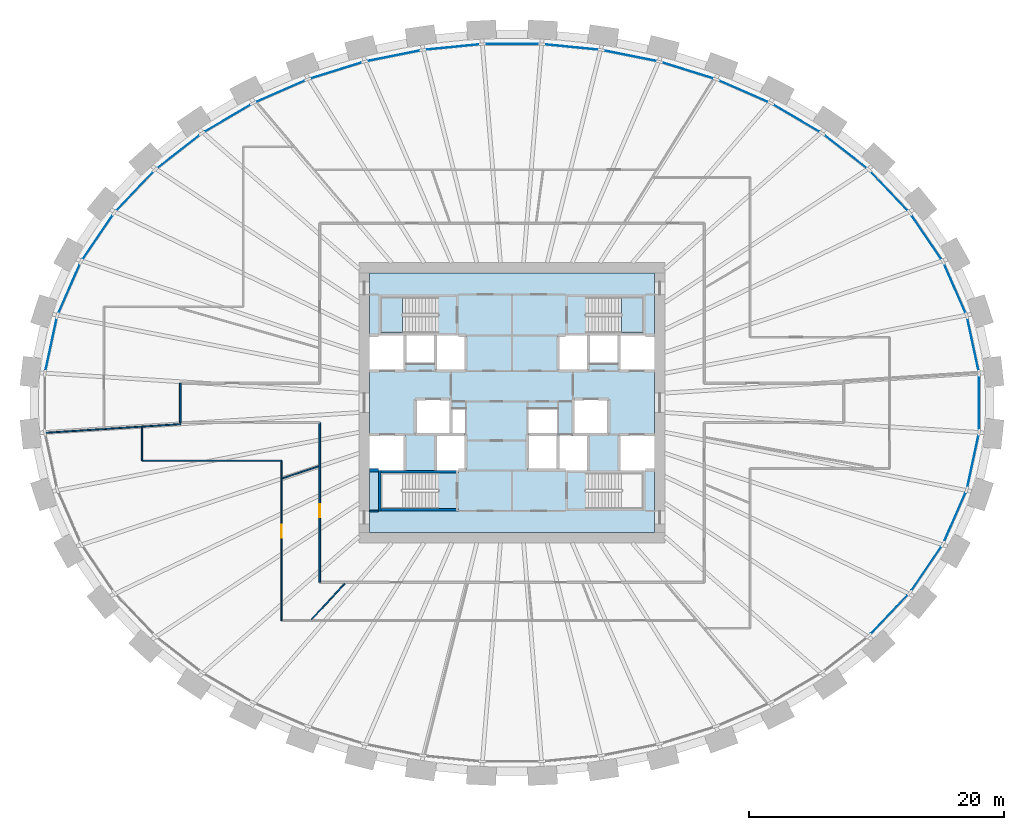
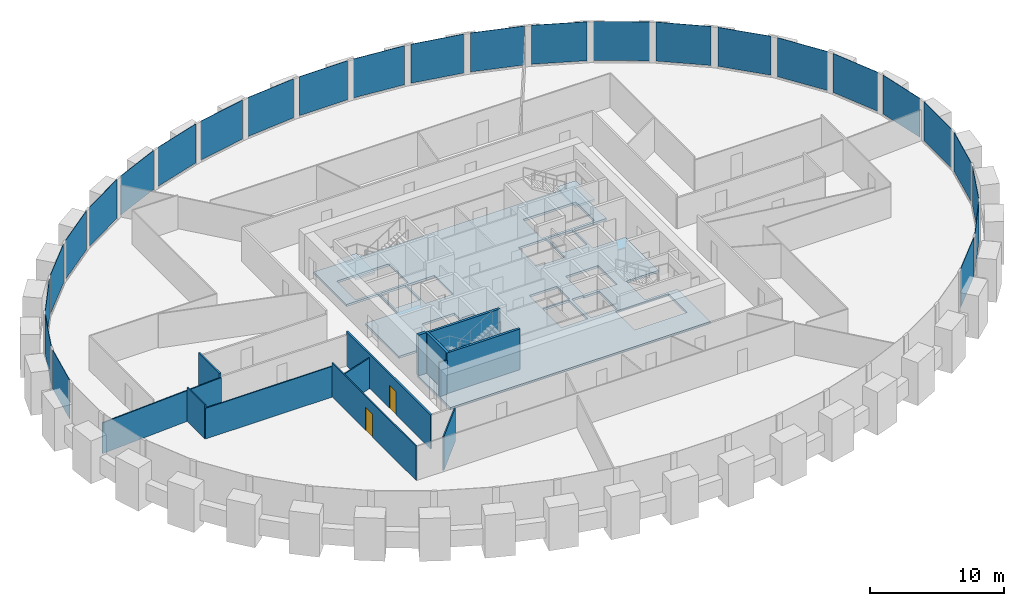
# One storey, part 5 of 10: 26 plates, 13 walls, 3 slabs, 2 doors, 2 openings, 3 elements without a shape of their own.
"""IFC4 building model written with IfcOpenShell, lengths in metres."""

from ifc_helpers import new_model, si_unit, direction, frame, frame_2d, origin, origin_2d, place, context, subcontext, project, spatial, polyline, rectangle, outline, extrude, source, transform, mapped, material, layer, layer_set, type_object, element, fill, aggregate, save


model = new_model("IFC4")

# Units and contexts
model_context = context("Model", 3, precision=1e-05, world=origin(), true_north=direction((0.0, 1.0)))
body_context = subcontext(model_context, "Body", "Model", "MODEL_VIEW")
ifc_project = project(units=[si_unit("LENGTHUNIT", "METRE"), si_unit("AREAUNIT", "SQUARE_METRE"), si_unit("VOLUMEUNIT", "CUBIC_METRE"), si_unit("PLANEANGLEUNIT", "RADIAN"), si_unit("MASSUNIT", "GRAM", prefix="KILO")], contexts=[model_context])

# Site, building, storey
site_placement = place(None, origin())
site = spatial("IfcSite", under=ifc_project, at=site_placement, CompositionType="ELEMENT")
building_placement = place(site_placement, origin())
building = spatial("IfcBuilding", under=site, at=building_placement, Name="Embergate Tower", CompositionType="ELEMENT")
storey_placement = place(building_placement, frame((0.0, 0.0, 156.0)))
storey = spatial("IfcBuildingStorey", under=building, at=storey_placement, Name="L34", CompositionType="ELEMENT", Elevation=156.0)

# Curtain wall, plates
ifc_material_1 = material(Name="Aluminium and glass", Category="aluminium")
curtain_wall_type = type_object("IfcCurtainWallType", Name="Recessed office glazing", PredefinedType="NOTDEFINED", material=ifc_material_1)
curtain_wall_placement = place(storey_placement, origin())
curtain_wall = element("IfcCurtainWall", 1, at=curtain_wall_placement, inside=storey, type_object=curtain_wall_type, Name="Recessed office glazing ring", ObjectType="RECESSED OFFICE GLAZING", PredefinedType="USERDEFINED")
ifc_material_2 = material(Name="Triple glazing, low-emissivity coating", Category="glass")
ifc_layer_1 = layer(ifc_material_2, 0.035888671875)
ifc_layer_set_1 = layer_set([ifc_layer_1], Name="Triple glazing, low-emissivity coating")
plate_type = type_object("IfcPlateType", Name="Office glazing unit", PredefinedType="CURTAIN_PANEL", material=ifc_layer_set_1)
shared_shape_1 = source(origin(), body_context, "Body", "SweptSolid", [
    extrude(rectangle(XDim=4.109130859375, YDim=0.035888671875, at=origin_2d()), origin(), (0.0, 0.0, 1.0), 3.550048828125),
])
plate_1_placement = place(storey_placement, frame((36.196044921875, 4.576171875, 0.14990234375), z_axis=(0.0, 0.0, 1.0), x_axis=(-0.210398391177, 0.97761573074, 0.0)))
plate_1 = element("IfcPlate", 2, at=plate_1_placement, type_object=plate_type, Name="CW panel 1.1", PredefinedType="CURTAIN_PANEL", context=body_context, shape_type="MappedRepresentation", body=[
    mapped(shared_shape_1, transform((0.0, 0.0, 0.0))),
])
plate_2_placement = place(storey_placement, frame((-36.196044921875, 4.576171875, 0.14990234375), z_axis=(0.0, 0.0, 1.0), x_axis=(-0.210398391177, -0.97761573074, 0.0)))
plate_2 = element("IfcPlate", 3, at=plate_2_placement, type_object=plate_type, Name="CW panel 21.1", PredefinedType="CURTAIN_PANEL", context=body_context, shape_type="MappedRepresentation", body=[
    mapped(shared_shape_1, transform((0.0, 0.0, 0.0))),
])
plate_3_placement = place(storey_placement, frame((36.196044921875, -4.576171875, 0.14990234375), z_axis=(0.0, 0.0, 1.0), x_axis=(0.210398391177, 0.97761573074, 0.0)))
plate_3 = element("IfcPlate", 4, at=plate_3_placement, type_object=plate_type, Name="CW panel 43.1", PredefinedType="CURTAIN_PANEL", context=body_context, shape_type="MappedRepresentation", body=[
    mapped(shared_shape_1, transform((0.0, 0.0, 0.0))),
])
shared_shape_2 = source(origin(), body_context, "Body", "SweptSolid", [
    extrude(rectangle(XDim=4.1162109375, YDim=0.035888671875, at=origin_2d()), origin(), (0.0, 0.0, 1.0), 3.550048828125),
])
plate_4_placement = place(storey_placement, frame((34.778076171875, 8.9619140625, 0.14990234375), z_axis=(0.0, 0.0, 1.0), x_axis=(-0.401652101157, 0.91579232888, 0.0)))
plate_4 = element("IfcPlate", 5, at=plate_4_placement, type_object=plate_type, Name="CW panel 2.1", PredefinedType="CURTAIN_PANEL", context=body_context, shape_type="MappedRepresentation", body=[
    mapped(shared_shape_2, transform((0.0, 0.0, 0.0))),
])
plate_5_placement = place(storey_placement, frame((-34.778076171875, 8.9619140625, 0.14990234375), z_axis=(0.0, 0.0, 1.0), x_axis=(-0.401652101157, -0.91579232888, 0.0)))
plate_5 = element("IfcPlate", 6, at=plate_5_placement, type_object=plate_type, Name="CW panel 20.1", PredefinedType="CURTAIN_PANEL", context=body_context, shape_type="MappedRepresentation", body=[
    mapped(shared_shape_2, transform((0.0, 0.0, 0.0))),
])
plate_6_placement = place(storey_placement, frame((34.778076171875, -8.9619140625, 0.14990234375), z_axis=(0.0, 0.0, 1.0), x_axis=(0.401652101157, 0.91579232888, 0.0)))
plate_6 = element("IfcPlate", 7, at=plate_6_placement, type_object=plate_type, Name="CW panel 42.1", PredefinedType="CURTAIN_PANEL", context=body_context, shape_type="MappedRepresentation", body=[
    mapped(shared_shape_2, transform((0.0, 0.0, 0.0))),
])
shared_shape_3 = source(origin(), body_context, "Body", "SweptSolid", [
    extrude(rectangle(XDim=4.125, YDim=0.035888671875, at=origin_2d()), origin(), (0.0, 0.0, 1.0), 3.550048828125),
])
plate_7_placement = place(storey_placement, frame((32.541015625, 13.005126953125, 0.14990234375), z_axis=(0.0, 0.0, 1.0), x_axis=(-0.562341741915, 0.826904931234, 0.0)))
plate_7 = element("IfcPlate", 8, at=plate_7_placement, type_object=plate_type, Name="CW panel 3.1", PredefinedType="CURTAIN_PANEL", context=body_context, shape_type="MappedRepresentation", body=[
    mapped(shared_shape_3, transform((0.0, 0.0, 0.0))),
])
plate_8_placement = place(storey_placement, frame((-32.541015625, 13.005126953125, 0.14990234375), z_axis=(0.0, 0.0, 1.0), x_axis=(-0.562341741915, -0.826904931234, 0.0)))
plate_8 = element("IfcPlate", 9, at=plate_8_placement, type_object=plate_type, Name="CW panel 19.1", PredefinedType="CURTAIN_PANEL", context=body_context, shape_type="MappedRepresentation", body=[
    mapped(shared_shape_3, transform((0.0, 0.0, 0.0))),
])
plate_9_placement = place(storey_placement, frame((32.541015625, -13.005126953125, 0.14990234375), z_axis=(0.0, 0.0, 1.0), x_axis=(0.562341741915, 0.826904931234, 0.0)))
plate_9 = element("IfcPlate", 10, at=plate_9_placement, type_object=plate_type, Name="CW panel 41.1", PredefinedType="CURTAIN_PANEL", context=body_context, shape_type="MappedRepresentation", body=[
    mapped(shared_shape_3, transform((0.0, 0.0, 0.0))),
])
shared_shape_4 = source(origin(), body_context, "Body", "SweptSolid", [
    extrude(rectangle(XDim=4.1337890625, YDim=0.035888671875, at=origin_2d()), origin(), (0.0, 0.0, 1.0), 3.550048828125),
])
plate_10_placement = place(storey_placement, frame((29.62890625, 16.609619140625, 0.14990234375), z_axis=(0.0, 0.0, 1.0), x_axis=(-0.690135047526, 0.723680603703, 0.0)))
plate_10 = element("IfcPlate", 11, at=plate_10_placement, type_object=plate_type, Name="CW panel 4.1", PredefinedType="CURTAIN_PANEL", context=body_context, shape_type="MappedRepresentation", body=[
    mapped(shared_shape_4, transform((0.0, 0.0, 0.0))),
])
plate_11_placement = place(storey_placement, frame((-29.62890625, 16.609619140625, 0.14990234375), z_axis=(0.0, 0.0, 1.0), x_axis=(-0.690135047526, -0.723680603703, 0.0)))
plate_11 = element("IfcPlate", 12, at=plate_11_placement, type_object=plate_type, Name="CW panel 18.1", PredefinedType="CURTAIN_PANEL", context=body_context, shape_type="MappedRepresentation", body=[
    mapped(shared_shape_4, transform((0.0, 0.0, 0.0))),
])
plate_12_placement = place(storey_placement, frame((29.62890625, -16.609619140625, 0.14990234375), z_axis=(0.0, 0.0, 1.0), x_axis=(0.690135047526, 0.723680603703, 0.0)))
plate_12 = element("IfcPlate", 13, at=plate_12_placement, type_object=plate_type, Name="CW panel 40.1", PredefinedType="CURTAIN_PANEL", context=body_context, shape_type="MappedRepresentation", body=[
    mapped(shared_shape_4, transform((0.0, 0.0, 0.0))),
])
shared_shape_5 = source(origin(), body_context, "Body", "SweptSolid", [
    extrude(rectangle(XDim=4.14111328125, YDim=0.035888671875, at=origin_2d()), origin(), (0.0, 0.0, 1.0), 3.550048828125),
])
plate_13_placement = place(storey_placement, frame((26.185791015625, 19.727294921875, 0.14990234375), z_axis=(0.0, 0.0, 1.0), x_axis=(-0.788320119254, 0.615265300158, 0.0)))
plate_13 = element("IfcPlate", 14, at=plate_13_placement, type_object=plate_type, Name="CW panel 5.1", PredefinedType="CURTAIN_PANEL", context=body_context, shape_type="MappedRepresentation", body=[
    mapped(shared_shape_5, transform((0.0, 0.0, 0.0))),
])
plate_14_placement = place(storey_placement, frame((-26.185791015625, 19.727294921875, 0.14990234375), z_axis=(0.0, 0.0, 1.0), x_axis=(-0.788320119254, -0.615265300158, 0.0)))
plate_14 = element("IfcPlate", 15, at=plate_14_placement, type_object=plate_type, Name="CW panel 17.1", PredefinedType="CURTAIN_PANEL", context=body_context, shape_type="MappedRepresentation", body=[
    mapped(shared_shape_5, transform((0.0, 0.0, 0.0))),
])
shared_shape_6 = source(origin(), body_context, "Body", "SweptSolid", [
    extrude(rectangle(XDim=4.147216796875, YDim=0.035888671875, at=origin_2d()), origin(), (0.0, 0.0, 1.0), 3.550048828125),
])
plate_15_placement = place(storey_placement, frame((22.3369140625, 22.343994140625, 0.14990234375), z_axis=(0.0, 0.0, 1.0), x_axis=(-0.862053167811, 0.50681785275, 0.0)))
plate_15 = element("IfcPlate", 16, at=plate_15_placement, type_object=plate_type, Name="CW panel 6.1", PredefinedType="CURTAIN_PANEL", context=body_context, shape_type="MappedRepresentation", body=[
    mapped(shared_shape_6, transform((0.0, 0.0, 0.0))),
])
plate_16_placement = place(storey_placement, frame((-22.3369140625, 22.343994140625, 0.14990234375), z_axis=(0.0, 0.0, 1.0), x_axis=(-0.862053167811, -0.50681785275, 0.0)))
plate_16 = element("IfcPlate", 17, at=plate_16_placement, type_object=plate_type, Name="CW panel 16.1", PredefinedType="CURTAIN_PANEL", context=body_context, shape_type="MappedRepresentation", body=[
    mapped(shared_shape_6, transform((0.0, 0.0, 0.0))),
])
shared_shape_7 = source(origin(), body_context, "Body", "SweptSolid", [
    extrude(rectangle(XDim=4.151611328125, YDim=0.035888671875, at=origin_2d()), origin(), (0.0, 0.0, 1.0), 3.550048828125),
])
plate_17_placement = place(storey_placement, frame((18.18505859375, 24.462646484375, 0.14990234375), z_axis=(0.0, 0.0, 1.0), x_axis=(-0.916236211741, 0.400638495772, 0.0)))
plate_17 = element("IfcPlate", 18, at=plate_17_placement, type_object=plate_type, Name="CW panel 7.1", PredefinedType="CURTAIN_PANEL", context=body_context, shape_type="MappedRepresentation", body=[
    mapped(shared_shape_7, transform((0.0, 0.0, 0.0))),
])
plate_18_placement = place(storey_placement, frame((-18.18505859375, 24.462646484375, 0.14990234375), z_axis=(0.0, 0.0, 1.0), x_axis=(-0.916236211741, -0.400638495772, 0.0)))
plate_18 = element("IfcPlate", 19, at=plate_18_placement, type_object=plate_type, Name="CW panel 15.1", PredefinedType="CURTAIN_PANEL", context=body_context, shape_type="MappedRepresentation", body=[
    mapped(shared_shape_7, transform((0.0, 0.0, 0.0))),
])
shared_shape_8 = source(origin(), body_context, "Body", "SweptSolid", [
    extrude(rectangle(XDim=4.155029296875, YDim=0.035888671875, at=origin_2d()), origin(), (0.0, 0.0, 1.0), 3.550048828125),
])
plate_19_placement = place(storey_placement, frame((13.81298828125, 26.093505859375, 0.14990234375), z_axis=(0.0, 0.0, 1.0), x_axis=(-0.954772217174, 0.297338213676, 0.0)))
plate_19 = element("IfcPlate", 20, at=plate_19_placement, type_object=plate_type, Name="CW panel 8.1", PredefinedType="CURTAIN_PANEL", context=body_context, shape_type="MappedRepresentation", body=[
    mapped(shared_shape_8, transform((0.0, 0.0, 0.0))),
])
plate_20_placement = place(storey_placement, frame((-13.81298828125, 26.093505859375, 0.14990234375), z_axis=(0.0, 0.0, 1.0), x_axis=(-0.954772217174, -0.297338213676, 0.0)))
plate_20 = element("IfcPlate", 21, at=plate_20_placement, type_object=plate_type, Name="CW panel 14.1", PredefinedType="CURTAIN_PANEL", context=body_context, shape_type="MappedRepresentation", body=[
    mapped(shared_shape_8, transform((0.0, 0.0, 0.0))),
])
shared_shape_9 = source(origin(), body_context, "Body", "SweptSolid", [
    extrude(rectangle(XDim=4.1572265625, YDim=0.035888671875, at=origin_2d()), origin(), (0.0, 0.0, 1.0), 3.550048828125),
])
plate_21_placement = place(storey_placement, frame((9.288330078125, 27.248291015625, 0.14990234375), z_axis=(0.0, 0.0, 1.0), x_axis=(-0.980475907409, 0.196639250889, 0.0)))
plate_21 = element("IfcPlate", 22, at=plate_21_placement, type_object=plate_type, Name="CW panel 9.1", PredefinedType="CURTAIN_PANEL", context=body_context, shape_type="MappedRepresentation", body=[
    mapped(shared_shape_9, transform((0.0, 0.0, 0.0))),
])
plate_22_placement = place(storey_placement, frame((-9.288330078125, 27.248291015625, 0.14990234375), z_axis=(0.0, 0.0, 1.0), x_axis=(-0.980475907409, -0.196639250889, 0.0)))
plate_22 = element("IfcPlate", 23, at=plate_22_placement, type_object=plate_type, Name="CW panel 13.1", PredefinedType="CURTAIN_PANEL", context=body_context, shape_type="MappedRepresentation", body=[
    mapped(shared_shape_9, transform((0.0, 0.0, 0.0))),
])
shared_shape_10 = source(origin(), body_context, "Body", "SweptSolid", [
    extrude(rectangle(XDim=4.158447265625, YDim=0.035888671875, at=origin_2d()), origin(), (0.0, 0.0, 1.0), 3.550048828125),
])
plate_23_placement = place(storey_placement, frame((4.66748046875, 27.93701171875, 0.14990234375), z_axis=(0.0, 0.0, 1.0), x_axis=(-0.995203184788, 0.097829550688, 0.0)))
plate_23 = element("IfcPlate", 24, at=plate_23_placement, type_object=plate_type, Name="CW panel 10.1", PredefinedType="CURTAIN_PANEL", context=body_context, shape_type="MappedRepresentation", body=[
    mapped(shared_shape_10, transform((0.0, 0.0, 0.0))),
])
plate_24_placement = place(storey_placement, frame((-4.66748046875, 27.93701171875, 0.14990234375), z_axis=(0.0, 0.0, 1.0), x_axis=(-0.995203184788, -0.097829550688, 0.0)))
plate_24 = element("IfcPlate", 25, at=plate_24_placement, type_object=plate_type, Name="CW panel 12.1", PredefinedType="CURTAIN_PANEL", context=body_context, shape_type="MappedRepresentation", body=[
    mapped(shared_shape_10, transform((0.0, 0.0, 0.0))),
])
shared_shape_11 = source(origin(), body_context, "Body", "SweptSolid", [
    extrude(rectangle(XDim=4.158935546875, YDim=0.035888671875, at=origin_2d()), origin(), (0.0, 0.0, 1.0), 3.550048828125),
])
plate_25_placement = place(storey_placement, frame((0.0, 28.166015625, 0.14990234375), z_axis=(0.0, 0.0, 1.0), x_axis=(-1.0, 0.0, 0.0)))
plate_25 = element("IfcPlate", 26, at=plate_25_placement, type_object=plate_type, Name="CW panel 11.1", PredefinedType="CURTAIN_PANEL", context=body_context, shape_type="MappedRepresentation", body=[
    mapped(shared_shape_11, transform((0.0, 0.0, 0.0))),
])
shared_shape_12 = source(origin(), body_context, "Body", "SweptSolid", [
    extrude(rectangle(XDim=4.106689453125, YDim=0.035888671875, at=origin_2d()), origin(), (0.0, 0.0, 1.0), 3.550048828125),
])
plate_26_placement = place(storey_placement, frame((36.68310546875, 0.0, 0.14990234375), z_axis=(0.0, 0.0, 1.0), x_axis=(0.0, 1.0, 0.0)))
plate_26 = element("IfcPlate", 27, at=plate_26_placement, type_object=plate_type, Name="CW panel 44.1", PredefinedType="CURTAIN_PANEL", context=body_context, shape_type="MappedRepresentation", body=[
    mapped(shared_shape_12, transform((0.0, 0.0, 0.0))),
])
aggregate(curtain_wall, [plate_1, plate_4, plate_7, plate_10, plate_13, plate_15, plate_17, plate_19, plate_21, plate_23, plate_25, plate_24, plate_22, plate_20, plate_18, plate_16, plate_14, plate_11, plate_8, plate_5, plate_2, plate_12, plate_9, plate_6, plate_3, plate_26])

# Stair, slab
ifc_material_3 = material(Name="Exit stair")
stair_type = type_object("IfcStairType", Name="Exit stair", PredefinedType="HALF_TURN_STAIR", material=ifc_material_3)
stair_1_placement = place(storey_placement, origin())
stair_1 = element("IfcStair", 28, at=stair_1_placement, inside=storey, type_object=stair_type, Name="L34 Exit stair 1", PredefinedType="HALF_TURN_STAIR")
ifc_material_4 = material(Name="Concrete C40", Category="concrete")
ifc_layer_2 = layer(ifc_material_4, 0.199951171875)
ifc_layer_set_2 = layer_set([ifc_layer_2], Name="Concrete C40")
slab_type_1 = type_object("IfcSlabType", Name="Stair landing reinforced concrete", PredefinedType="LANDING", material=ifc_layer_set_2)
shared_shape_13 = source(origin(), body_context, "Body", "SweptSolid", [
    extrude(outline(polyline([(0.0, 0.0), (1.68994140625, 0.0), (1.68994140625, 2.800048828125), (0.0, 2.800048828125), (0.0, 0.0)])), origin(), (0.0, 0.0, 1.0), 0.199951171875),
])
slab_1_placement = place(storey_placement, frame((-10.300048828125, 5.5, 1.75)))
slab_1 = element("IfcSlab", 29, at=slab_1_placement, type_object=slab_type_1, Name="ST1 landing 1", PredefinedType="LANDING", context=body_context, shape_type="MappedRepresentation", body=[
    mapped(shared_shape_13, transform((0.0, 0.0, 0.0))),
])
aggregate(stair_1, [slab_1])

stair_2_placement = place(storey_placement, origin())
stair_2 = element("IfcStair", 30, at=stair_2_placement, inside=storey, type_object=stair_type, Name="L34 Exit stair 2", PredefinedType="HALF_TURN_STAIR")
slab_2_placement = place(storey_placement, frame((8.610107421875, 5.5, 1.75)))
slab_2 = element("IfcSlab", 31, at=slab_2_placement, type_object=slab_type_1, Name="ST2 landing 1", PredefinedType="LANDING", context=body_context, shape_type="MappedRepresentation", body=[
    mapped(shared_shape_13, transform((0.0, 0.0, 0.0))),
])
aggregate(stair_2, [slab_2])

# Slab
ifc_layer_3 = layer(ifc_material_4, 0.199951171875)
ifc_layer_set_3 = layer_set([ifc_layer_3], Name="Concrete C40")
slab_type_2 = type_object("IfcSlabType", Name="Core floor slab 200 reinforced concrete", PredefinedType="FLOOR", material=ifc_layer_set_3)
shared_shape_14 = source(origin(), body_context, "Body", "SweptSolid", [
    extrude(outline(polyline([(0.0, 0.0), (22.39990234375, 0.0), (22.39990234375, 4.89990234375), (19.599853515625, 4.89990234375), (19.599853515625, 7.699951171875), (22.39990234375, 7.699951171875), (22.39990234375, 12.699951171875), (19.599853515625, 12.699951171875), (19.599853515625, 15.5), (22.39990234375, 15.5), (22.39990234375, 20.39990234375), (0.0, 20.39990234375), (0.0, 15.5), (2.800048828125, 15.5), (2.800048828125, 12.699951171875), (0.0, 12.699951171875), (0.0, 7.699951171875), (2.800048828125, 7.699951171875), (2.800048828125, 4.89990234375), (0.0, 4.89990234375), (0.0, 0.0)]), holes=[polyline([(0.89990234375, 1.89990234375), (0.89990234375, 4.699951171875), (5.43994140625, 4.699951171875), (5.43994140625, 1.89990234375), (0.89990234375, 1.89990234375)]), polyline([(16.9599609375, 1.89990234375), (16.9599609375, 4.699951171875), (21.5, 4.699951171875), (21.5, 1.89990234375), (16.9599609375, 1.89990234375)]), polyline([(5.199951171875, 4.89990234375), (5.199951171875, 7.574951171875), (6.52490234375, 7.574951171875), (6.52490234375, 7.699951171875), (7.599853515625, 7.699951171875), (7.599853515625, 4.89990234375), (5.199951171875, 4.89990234375)]), polyline([(12.39990234375, 4.89990234375), (12.39990234375, 7.699951171875), (14.675048828125, 7.699951171875), (14.675048828125, 4.89990234375), (12.39990234375, 4.89990234375)]), polyline([(14.925048828125, 4.89990234375), (14.925048828125, 7.699951171875), (15.875, 7.699951171875), (15.875, 7.574951171875), (17.199951171875, 7.574951171875), (17.199951171875, 4.89990234375), (14.925048828125, 4.89990234375)]), polyline([(3.599853515625, 7.699951171875), (3.599853515625, 10.5), (6.39990234375, 10.5), (6.39990234375, 7.824951171875), (5.074951171875, 7.824951171875), (5.074951171875, 7.699951171875), (3.599853515625, 7.699951171875)]), polyline([(17.324951171875, 7.699951171875), (17.324951171875, 7.824951171875), (16.0, 7.824951171875), (16.0, 10.5), (18.800048828125, 10.5), (18.800048828125, 7.699951171875), (17.324951171875, 7.699951171875)]), polyline([(6.52490234375, 7.824951171875), (6.52490234375, 9.699951171875), (7.599853515625, 9.699951171875), (7.599853515625, 7.824951171875), (6.52490234375, 7.824951171875)]), polyline([(12.39990234375, 7.824951171875), (12.39990234375, 9.699951171875), (14.800048828125, 9.699951171875), (14.800048828125, 7.824951171875), (14.675048828125, 7.824951171875), (12.39990234375, 7.824951171875)]), polyline([(5.199951171875, 12.699951171875), (5.199951171875, 15.5), (7.599853515625, 15.5), (7.599853515625, 12.699951171875), (5.199951171875, 12.699951171875)]), polyline([(14.800048828125, 12.699951171875), (14.800048828125, 15.5), (17.199951171875, 15.5), (17.199951171875, 12.699951171875), (14.800048828125, 12.699951171875)]), polyline([(2.925048828125, 13.300048828125), (2.925048828125, 15.5), (5.074951171875, 15.5), (5.074951171875, 13.300048828125), (2.925048828125, 13.300048828125)]), polyline([(17.324951171875, 13.300048828125), (17.324951171875, 15.5), (19.474853515625, 15.5), (19.474853515625, 13.300048828125), (17.324951171875, 13.300048828125)]), polyline([(0.89990234375, 15.699951171875), (0.89990234375, 18.5), (5.43994140625, 18.5), (5.43994140625, 15.699951171875), (0.89990234375, 15.699951171875)]), polyline([(16.9599609375, 15.699951171875), (16.9599609375, 18.5), (21.5, 18.5), (21.5, 15.699951171875), (16.9599609375, 15.699951171875)])]), origin(), (0.0, 0.0, 1.0), 0.199951171875),
])
slab_3_placement = place(storey_placement, frame((-11.199951171875, -10.199951171875, -0.199951171875)))
element("IfcSlab", 32, at=slab_3_placement, inside=storey, type_object=slab_type_2, Name="Core floor slab", PredefinedType="FLOOR", context=body_context, shape_type="MappedRepresentation", body=[
    mapped(shared_shape_14, transform((0.0, 0.0, 0.0))),
])

# Walls
ifc_material_5 = material(Name="Concrete C50", Category="concrete")
ifc_layer_4 = layer(ifc_material_5, 0.199951171875)
ifc_layer_set_4 = layer_set([ifc_layer_4], Name="Concrete C50")
wall_type_1 = type_object("IfcWallType", Name="Stair enclosure wall reinforced concrete 250", PredefinedType="SHEAR", material=ifc_layer_set_4)
shared_shape_15 = source(origin(), body_context, "Body", "SweptSolid", [
    extrude(rectangle(XDim=6.300048828125, YDim=0.199951171875, at=frame_2d((3.14990234375, 0.0))), origin(), (0.0, 0.0, 1.0), 3.699951171875),
])
for number, where, z_axis, x_axis, name in (
    (33, (-10.5, -5.39990234375, 0.0), (0.0, 0.0, 1.0), (1.0, 0.0, 0.0), "SE-1 wall"),
    (34, (-10.5, -8.39990234375, 0.0), (0.0, 0.0, 1.0), (1.0, 0.0, 0.0), "SE-1 wall"),
):
    element("IfcWall", number, at=place(storey_placement, frame(where, z_axis=z_axis, x_axis=x_axis)), inside=storey, type_object=wall_type_1, Name=name, PredefinedType="SHEAR", context=body_context, shape_type="MappedRepresentation", body=[
        mapped(shared_shape_15, transform((0.0, 0.0, 0.0))),
    ])
ifc_material_6 = material(Name="Partition dry-lined 100")
ifc_layer_5 = layer(ifc_material_6, 0.10009765625)
ifc_layer_set_5 = layer_set([ifc_layer_5], Name="Partition dry-lined 100")
wall_type_2 = type_object("IfcWallType", Name="Partition dry-lined 100", PredefinedType="PARTITIONING", material=ifc_layer_set_5)
shared_shape_16 = source(origin(), body_context, "Body", "SweptSolid", [
    extrude(rectangle(XDim=10.949951171875, YDim=0.10009765625, at=frame_2d((5.47509765625, 0.0))), origin(), (0.0, 0.0, 1.0), 2.800048828125),
])
wall_1_placement = place(storey_placement, frame((-29.050048828125, -4.550048828125, 0.0), z_axis=(0.0, 0.0, 1.0), x_axis=(1.0, 0.0, 0.0)))
element("IfcWall", 35, at=wall_1_placement, inside=storey, type_object=wall_type_2, Name="IP-1 wall", PredefinedType="PARTITIONING", context=body_context, shape_type="MappedRepresentation", body=[
    mapped(shared_shape_16, transform((0.0, 0.0, 0.0))),
])
shared_shape_17 = source(origin(), body_context, "Body", "SweptSolid", [
    extrude(rectangle(XDim=3.196044921875, YDim=0.199951171875, at=frame_2d((1.59814453125, 0.0))), origin(), (0.0, 0.0, 1.0), 3.699951171875),
])
wall_2_placement = place(storey_placement, frame((-10.39990234375, -5.302001953125, 0.0), z_axis=(0.0, 0.0, 1.0), x_axis=(0.0, -1.0, 0.0)))
element("IfcWall", 36, at=wall_2_placement, inside=storey, type_object=wall_type_1, Name="SE-1 wall", PredefinedType="SHEAR", context=body_context, shape_type="MappedRepresentation", body=[
    mapped(shared_shape_17, transform((0.0, 0.0, 0.0))),
])
ifc_layer_6 = layer(ifc_material_5, 0.25)
ifc_layer_set_6 = layer_set([ifc_layer_6], Name="Concrete C50")
wall_type_3 = type_object("IfcWallType", Name="Hoistway wall reinforced concrete 250", PredefinedType="SHEAR", material=ifc_layer_set_6)
shared_shape_18 = source(origin(), body_context, "Body", "SweptSolid", [
    extrude(rectangle(XDim=0.697998046875, YDim=0.25, at=frame_2d((0.34912109375, 0.0))), origin(), (0.0, 0.0, 1.0), 3.699951171875),
])
wall_3_placement = place(storey_placement, frame((-11.199951171875, -5.300048828125, 0.0), z_axis=(0.0, 0.0, 1.0), x_axis=(1.0, 0.0, 0.0)))
element("IfcWall", 37, at=wall_3_placement, inside=storey, type_object=wall_type_3, Name="HW-1 wall", PredefinedType="SHEAR", context=body_context, shape_type="MappedRepresentation", body=[
    mapped(shared_shape_18, transform((0.0, 0.0, 0.0))),
])
ifc_material_7 = material(Name="Core partition blockwork 120")
ifc_layer_7 = layer(ifc_material_7, 0.1201171875)
ifc_layer_set_7 = layer_set([ifc_layer_7], Name="Core partition blockwork 120")
wall_type_4 = type_object("IfcWallType", Name="Core partition blockwork 120", PredefinedType="PARTITIONING", material=ifc_layer_set_7)
shared_shape_19 = source(origin(), body_context, "Body", "SweptSolid", [
    extrude(rectangle(XDim=0.697998046875, YDim=0.1201171875, at=frame_2d((0.34912109375, 0.0))), origin(), (0.0, 0.0, 1.0), 3.10009765625),
])
wall_4_placement = place(storey_placement, frame((-10.501953125, -8.5, 0.0), z_axis=(0.0, 0.0, 1.0), x_axis=(-1.0, 0.0, 0.0)))
element("IfcWall", 38, at=wall_4_placement, inside=storey, type_object=wall_type_4, Name="IP-3 wall", PredefinedType="PARTITIONING", context=body_context, shape_type="MappedRepresentation", body=[
    mapped(shared_shape_19, transform((0.0, 0.0, 0.0))),
])

# Wall, opening, door
ifc_material_8 = material(Name="Corridor wall dry-lined 150")
ifc_layer_8 = layer(ifc_material_8, 0.14990234375)
ifc_layer_set_8 = layer_set([ifc_layer_8], Name="Corridor wall dry-lined 150")
wall_type_5 = type_object("IfcWallType", Name="Corridor wall dry-lined 150", PredefinedType="PARTITIONING", material=ifc_layer_set_8)
shared_shape_20 = source(origin(), body_context, "Body", "SweptSolid", [
    extrude(rectangle(XDim=12.550048828125, YDim=0.14990234375, at=frame_2d((6.27490234375, 0.0))), origin(), (0.0, 0.0, 1.0), 3.10009765625),
])
wall_5_placement = place(storey_placement, frame((-15.10009765625, -1.550048828125, 0.0), z_axis=(0.0, 0.0, 1.0), x_axis=(0.0, -1.0, 0.0)))
wall_5 = element("IfcWall", 39, at=wall_5_placement, inside=storey, type_object=wall_type_5, Name="IP-2 wall", PredefinedType="PARTITIONING", context=body_context, shape_type="MappedRepresentation", body=[
    mapped(shared_shape_20, transform((0.0, 0.0, 0.0))),
])
shared_shape_21 = source(origin(), body_context, "Body", "SweptSolid", [
    extrude(rectangle(XDim=1.0, YDim=2.10009765625, at=frame_2d((0.5, 1.050048828125))), frame((0.0, 0.0849609375, 0.0), z_axis=(0.0, -1.0, 0.0), x_axis=(1.0, 0.0, 0.0)), (0.0, 0.0, 1.0), 0.169921875),
])
opening_1_placement = place(wall_5_placement, frame((6.427001953125, 0.0, 0.0)))
opening_1 = element("IfcOpeningElement", 40, at=opening_1_placement, cuts=wall_5, Name="Opening ID-2", PredefinedType="OPENING", context=body_context, shape_type="MappedRepresentation", body=[
    mapped(shared_shape_21, transform((0.0, 0.0, 0.0))),
])
ifc_material_9 = material(Name="Interior door 1000")
door_type = type_object("IfcDoorType", Name="Interior door 1000", OperationType="SINGLE_SWING_LEFT", PredefinedType="DOOR", material=ifc_material_9)
shared_shape_22 = source(origin(), body_context, "Body", "SweptSolid", [
    extrude(rectangle(XDim=1.0, YDim=2.10009765625, at=frame_2d((0.5, 1.050048828125))), frame((0.0, 0.02490234375, 0.0), z_axis=(0.0, -1.0, 0.0), x_axis=(1.0, 0.0, 0.0)), (0.0, 0.0, 1.0), 0.050048828125),
])
door_1_placement = place(opening_1_placement, origin())
door_1 = element("IfcDoor", 41, at=door_1_placement, inside=storey, type_object=door_type, Name="ID-2 door", OperationType="SINGLE_SWING_RIGHT", OverallHeight=2.10009765625, OverallWidth=1.0, PredefinedType="DOOR", context=body_context, shape_type="MappedRepresentation", body=[
    mapped(shared_shape_22, transform((0.0, 0.0, 0.0))),
])
fill(opening_1, door_1)

# Walls
shared_shape_23 = source(origin(), body_context, "Body", "SweptSolid", [
    extrude(rectangle(XDim=3.10009765625, YDim=0.14990234375, at=frame_2d((1.550048828125, 0.0))), origin(), (0.0, 0.0, 1.0), 3.10009765625),
])
wall_6_placement = place(storey_placement, frame((-26.050048828125, 1.550048828125, 0.0), z_axis=(0.0, 0.0, 1.0), x_axis=(0.0, -1.0, 0.0)))
element("IfcWall", 42, at=wall_6_placement, inside=storey, type_object=wall_type_5, Name="IP-2 wall", PredefinedType="PARTITIONING", context=body_context, shape_type="MappedRepresentation", body=[
    mapped(shared_shape_23, transform((0.0, 0.0, 0.0))),
])
shared_shape_24 = source(origin(), body_context, "Body", "SweptSolid", [
    extrude(rectangle(XDim=2.992919921875, YDim=0.10009765625, at=frame_2d((1.49658203125, 0.0))), origin(), (0.0, 0.0, 1.0), 2.800048828125),
])
wall_7_placement = place(storey_placement, frame((-15.19091796875, -4.992919921875, 0.0), z_axis=(0.0, 0.0, 1.0), x_axis=(-0.94994012605, -0.312432003673, 0.0)))
element("IfcWall", 43, at=wall_7_placement, inside=storey, type_object=wall_type_2, Name="IP-1 wall", PredefinedType="PARTITIONING", context=body_context, shape_type="MappedRepresentation", body=[
    mapped(shared_shape_24, transform((0.0, 0.0, 0.0))),
])
shared_shape_25 = source(origin(), body_context, "Body", "SweptSolid", [
    extrude(rectangle(XDim=10.660888671875, YDim=0.10009765625, at=frame_2d((5.33056640625, 0.0))), origin(), (0.0, 0.0, 1.0), 2.800048828125),
])
wall_8_placement = place(storey_placement, frame((-36.666015625, -2.360107421875, 0.0), z_axis=(0.0, 0.0, 1.0), x_axis=(0.997933274946, 0.064258686222, 0.0)))
element("IfcWall", 44, at=wall_8_placement, inside=storey, type_object=wall_type_2, Name="IP-1 wall", PredefinedType="PARTITIONING", context=body_context, shape_type="MappedRepresentation", body=[
    mapped(shared_shape_25, transform((0.0, 0.0, 0.0))),
])
shared_shape_26 = source(origin(), body_context, "Body", "SweptSolid", [
    extrude(rectangle(XDim=2.631103515625, YDim=0.10009765625, at=frame_2d((1.3154296875, 0.0))), origin(), (0.0, 0.0, 1.0), 3.10009765625),
])
wall_9_placement = place(storey_placement, frame((-29.050048828125, -1.9189453125, 0.0), z_axis=(0.0, 0.0, 1.0), x_axis=(0.0, -1.0, 0.0)))
element("IfcWall", 45, at=wall_9_placement, inside=storey, type_object=wall_type_2, Name="IP-1 wall", PredefinedType="PARTITIONING", context=body_context, shape_type="MappedRepresentation", body=[
    mapped(shared_shape_26, transform((0.0, 0.0, 0.0))),
])

# Wall, opening, door
shared_shape_27 = source(origin(), body_context, "Body", "SweptSolid", [
    extrude(rectangle(XDim=12.550048828125, YDim=0.10009765625, at=frame_2d((6.27490234375, 0.0))), origin(), (0.0, 0.0, 1.0), 3.10009765625),
])
wall_10_placement = place(storey_placement, frame((-18.10009765625, -4.550048828125, 0.0), z_axis=(0.0, 0.0, 1.0), x_axis=(0.0, -1.0, 0.0)))
wall_10 = element("IfcWall", 46, at=wall_10_placement, inside=storey, type_object=wall_type_2, Name="IP-1 wall", PredefinedType="PARTITIONING", context=body_context, shape_type="MappedRepresentation", body=[
    mapped(shared_shape_27, transform((0.0, 0.0, 0.0))),
])
shared_shape_28 = source(origin(), body_context, "Body", "SweptSolid", [
    extrude(rectangle(XDim=1.0, YDim=2.10009765625, at=frame_2d((0.5, 1.050048828125))), frame((0.0, 0.06005859375, 0.0), z_axis=(0.0, -1.0, 0.0), x_axis=(1.0, 0.0, 0.0)), (0.0, 0.0, 1.0), 0.1201171875),
])
opening_2_placement = place(wall_10_placement, frame((5.0419921875, 0.0, 0.0)))
opening_2 = element("IfcOpeningElement", 47, at=opening_2_placement, cuts=wall_10, Name="Opening ID-2", PredefinedType="OPENING", context=body_context, shape_type="MappedRepresentation", body=[
    mapped(shared_shape_28, transform((0.0, 0.0, 0.0))),
])
door_2_placement = place(opening_2_placement, origin())
door_2 = element("IfcDoor", 48, at=door_2_placement, inside=storey, type_object=door_type, Name="ID-2 door", OperationType="SINGLE_SWING_RIGHT", OverallHeight=2.10009765625, OverallWidth=1.0, PredefinedType="DOOR", context=body_context, shape_type="MappedRepresentation", body=[
    mapped(shared_shape_22, transform((0.0, 0.0, 0.0))),
])
fill(opening_2, door_2)

# Wall
shared_shape_29 = source(origin(), body_context, "Body", "SweptSolid", [
    extrude(rectangle(XDim=3.82421875, YDim=0.10009765625, at=frame_2d((1.912109375, 0.0))), origin(), (0.0, 0.0, 1.0), 3.10009765625),
])
wall_11_placement = place(storey_placement, frame((-13.14697265625, -14.208984375, 0.0), z_axis=(0.0, 0.0, 1.0), x_axis=(-0.679088426516, -0.734056475329, 0.0)))
element("IfcWall", 49, at=wall_11_placement, inside=storey, type_object=wall_type_2, Name="IP-1 wall", PredefinedType="PARTITIONING", context=body_context, shape_type="MappedRepresentation", body=[
    mapped(shared_shape_29, transform((0.0, 0.0, 0.0))),
])

save(model, "model.ifc")
